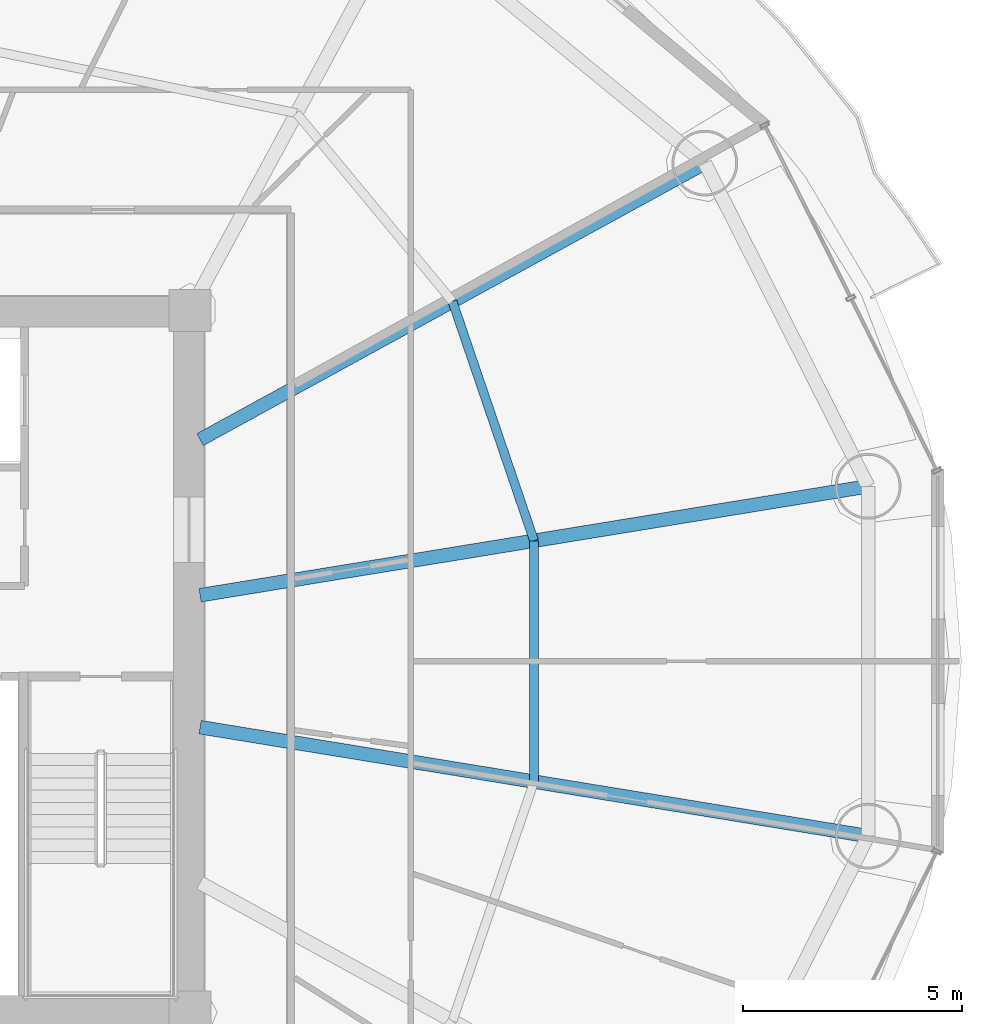
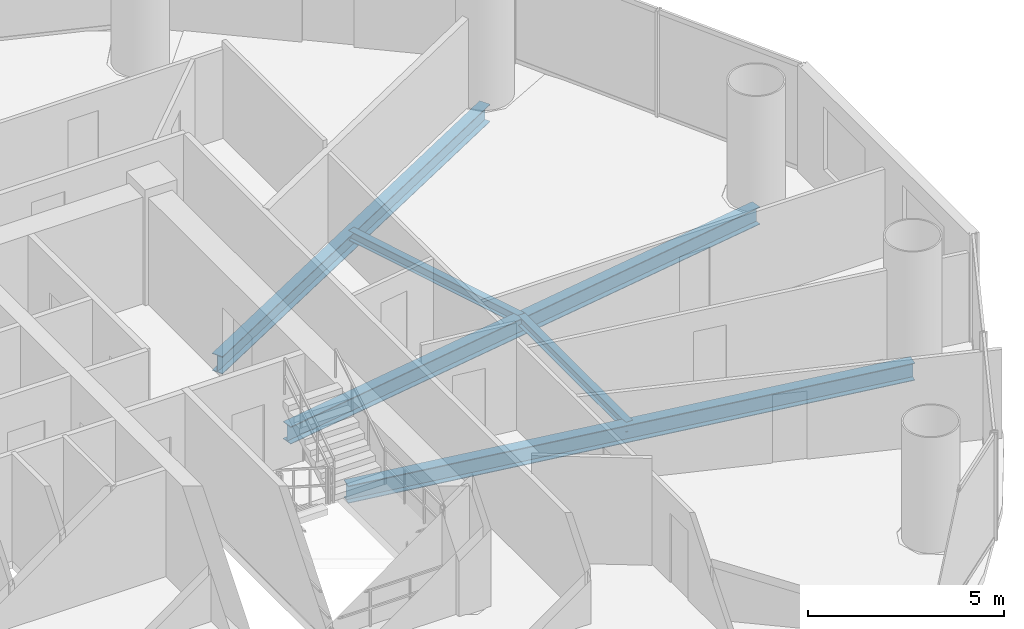
# One storey, part 14 of 29: 5 beams.
"""IFC4 building model written with IfcOpenShell, lengths in metres."""

from ifc_helpers import new_model, si_unit, direction, frame, origin, origin_2d, place, context, subcontext, project, spatial, i_section, extrude, material, material_profile, profile_set, type_object, element, save


model = new_model("IFC4")

# Units and contexts
model_context = context("Model", 3, precision=1e-05, world=origin(), true_north=direction((-0.2419218956, 0.970295726276)))
body_context = subcontext(model_context, "Body", "Model", "MODEL_VIEW")
ifc_project = project(units=[si_unit("LENGTHUNIT", "METRE"), si_unit("AREAUNIT", "SQUARE_METRE"), si_unit("VOLUMEUNIT", "CUBIC_METRE"), si_unit("PLANEANGLEUNIT", "RADIAN"), si_unit("MASSUNIT", "GRAM", prefix="KILO")], contexts=[model_context])

# Site, building, storey
site_placement = place(None, origin())
site = spatial("IfcSite", under=ifc_project, at=site_placement, CompositionType="ELEMENT")
building_placement = place(site_placement, origin())
building = spatial("IfcBuilding", under=site, at=building_placement, Name="Cobrevalo Terracotta Tower", CompositionType="ELEMENT")
storey_placement = place(building_placement, frame((0.0, 0.0, 90.60009765625)))
storey = spatial("IfcBuildingStorey", under=building, at=storey_placement, Name="L23", CompositionType="ELEMENT", Elevation=90.60009765625)

# Beams
ifc_material = material(Name="Steel S355", Category="steel")
ifc_material_profile_1 = material_profile(ifc_material, i_section(OverallWidth=0.31201171875, OverallDepth=0.54296875, WebThickness=0.0126953125, FlangeThickness=0.020263671875, at=origin_2d()), Name="W 530x150")
ifc_profile_set_1 = profile_set([ifc_material_profile_1], Name="Steel S355")
beam_type_1 = type_object("IfcBeamType", Name="Structural Beam W 530x150 (Steel S355)", PredefinedType="BEAM", material=ifc_profile_set_1)
beam_1_placement = place(storey_placement, frame((62.470703125, 30.78955078125, -0.546630859375), z_axis=(-0.986970567439, -0.160900898101, 0.0), x_axis=(0.160900898101, -0.986970567439, 0.0)))
element("IfcBeam", 1, at=beam_1_placement, inside=storey, type_object=beam_type_1, Name="L23 radial floor girder 01", PredefinedType="BEAM", context=body_context, shape_type="SweptSolid", body=[
    extrude(i_section(OverallWidth=0.31201171875, OverallDepth=0.54296875, WebThickness=0.0126953125, FlangeThickness=0.020263671875, at=origin_2d()), origin(), (0.0, 0.0, 1.0), 15.44189453125),
])
beam_2_placement = place(storey_placement, frame((58.7451171875, 38.161376953125, -0.546630859375), z_axis=(-0.877080599376, -0.480343233738, 0.0), x_axis=(0.480343233738, -0.877080599376, 0.0)))
element("IfcBeam", 2, at=beam_2_placement, inside=storey, type_object=beam_type_1, Name="L23 radial floor girder 02", PredefinedType="BEAM", context=body_context, shape_type="SweptSolid", body=[
    extrude(i_section(OverallWidth=0.31201171875, OverallDepth=0.54296875, WebThickness=0.0126953125, FlangeThickness=0.020263671875, at=origin_2d()), origin(), (0.0, 0.0, 1.0), 13.12890625),
])
beam_3_placement = place(storey_placement, frame((62.470703125, 22.810302734375, -0.546630859375), z_axis=(-0.986968056587, 0.160916298977, 0.0), x_axis=(-0.160916298977, -0.986968056587, 0.0)))
element("IfcBeam", 3, at=beam_3_placement, inside=storey, type_object=beam_type_1, Name="L23 radial floor girder 16", PredefinedType="BEAM", context=body_context, shape_type="SweptSolid", body=[
    extrude(i_section(OverallWidth=0.31201171875, OverallDepth=0.54296875, WebThickness=0.0126953125, FlangeThickness=0.020263671875, at=origin_2d()), origin(), (0.0, 0.0, 1.0), 15.44189453125),
])
ifc_material_profile_2 = material_profile(ifc_material, i_section(OverallWidth=0.2041015625, OverallDepth=0.305908203125, WebThickness=0.008544921875, FlangeThickness=0.0146484375, at=origin_2d()), Name="W 310x67")
ifc_profile_set_2 = profile_set([ifc_material_profile_2], Name="Steel S355")
beam_type_2 = type_object("IfcBeamType", Name="Structural Joist W 310x67 (Steel S355)", PredefinedType="JOIST", material=ifc_profile_set_2)
beam_4_placement = place(storey_placement, frame((54.850341796875, 29.547119140625, -0.427978515625), z_axis=(-0.322833299398, 0.94645584197, 0.0), x_axis=(-0.94645584197, -0.322833299398, 0.0)))
element("IfcBeam", 4, at=beam_4_placement, inside=storey, type_object=beam_type_2, Name="L23 circumferential secondary floor joist 01", PredefinedType="JOIST", context=body_context, shape_type="SweptSolid", body=[
    extrude(i_section(OverallWidth=0.2041015625, OverallDepth=0.305908203125, WebThickness=0.008544921875, FlangeThickness=0.0146484375, at=origin_2d()), origin(), (0.0, 0.0, 1.0), 5.77001953125),
])
beam_5_placement = place(storey_placement, frame((54.850341796875, 24.052734375, -0.427978515625), z_axis=(0.0, 1.0, 0.0), x_axis=(-1.0, 0.0, 0.0)))
element("IfcBeam", 5, at=beam_5_placement, inside=storey, type_object=beam_type_2, Name="L23 circumferential secondary floor joist 16", PredefinedType="JOIST", context=body_context, shape_type="SweptSolid", body=[
    extrude(i_section(OverallWidth=0.2041015625, OverallDepth=0.305908203125, WebThickness=0.008544921875, FlangeThickness=0.0146484375, at=origin_2d()), origin(), (0.0, 0.0, 1.0), 5.494384765625),
])

save(model, "model.ifc")
